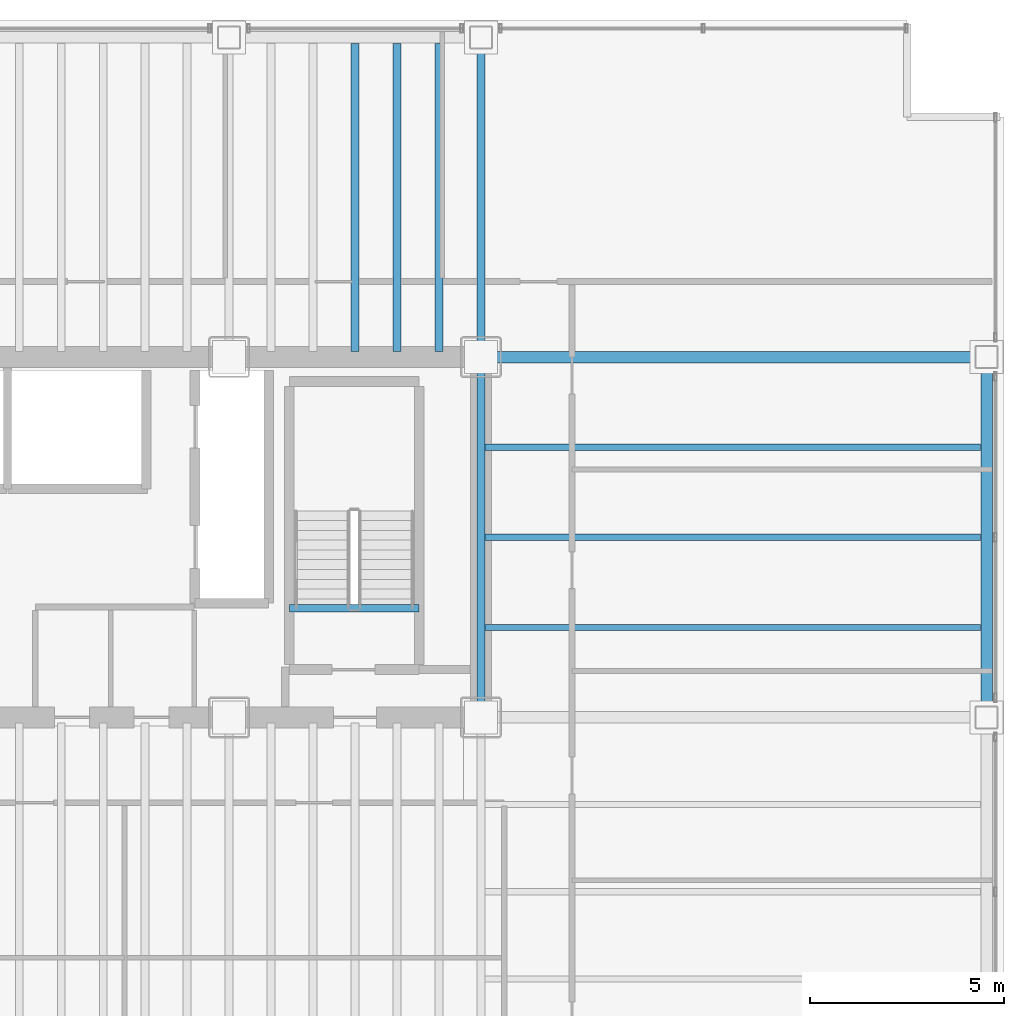
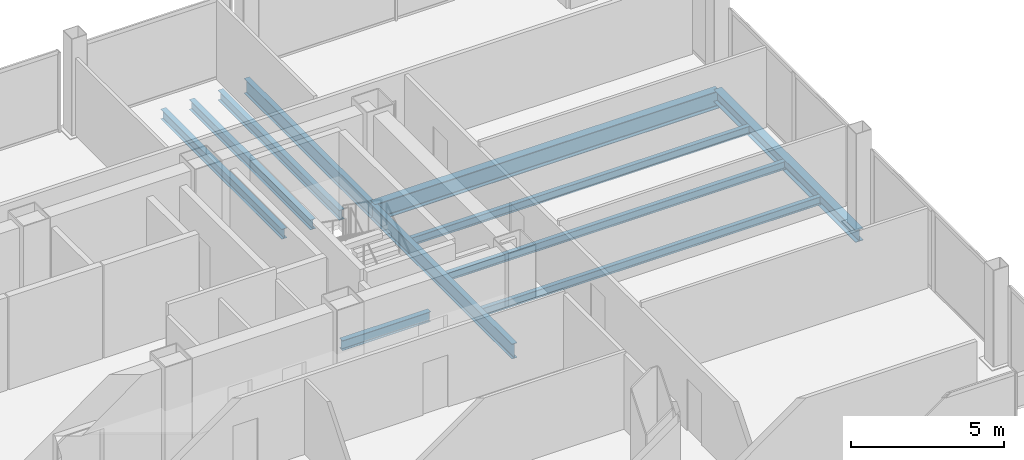
# One storey, part 11 of 20: 11 beams.
"""IFC4 building model written with IfcOpenShell, lengths in metres."""

from ifc_helpers import new_model, si_unit, direction, frame, origin, origin_2d, place, context, subcontext, project, spatial, i_section, extrude, material, material_profile, profile_set, type_object, element, save


model = new_model("IFC4")

# Units and contexts
model_context = context("Model", 3, precision=1e-05, world=origin(), true_north=direction((0.0, 1.0)))
body_context = subcontext(model_context, "Body", "Model", "MODEL_VIEW")
ifc_project = project(units=[si_unit("LENGTHUNIT", "METRE"), si_unit("AREAUNIT", "SQUARE_METRE"), si_unit("VOLUMEUNIT", "CUBIC_METRE"), si_unit("PLANEANGLEUNIT", "RADIAN"), si_unit("MASSUNIT", "GRAM", prefix="KILO")], contexts=[model_context])

# Site, building, storey
site_placement = place(None, origin())
site = spatial("IfcSite", under=ifc_project, at=site_placement, CompositionType="ELEMENT")
building_placement = place(site_placement, origin())
building = spatial("IfcBuilding", under=site, at=building_placement, Name="Noeulbin Bourse Tower", CompositionType="ELEMENT")
storey_placement = place(building_placement, frame((0.0, 0.0, 69.39990234375)))
storey = spatial("IfcBuildingStorey", under=building, at=storey_placement, Name="L17", CompositionType="ELEMENT", Elevation=69.39990234375)

# Beams
ifc_material = material(Name="Steel S355", Category="steel")
ifc_material_profile_1 = material_profile(ifc_material, i_section(OverallWidth=0.199951171875, OverallDepth=0.60009765625, WebThickness=0.010986328125, FlangeThickness=0.01708984375, FilletRadius=0.02197265625, at=origin_2d()), Name="H-600x200x11x17", Category="LoadBearing")
ifc_profile_set_1 = profile_set([ifc_material_profile_1], Name="Steel S355")
beam_type_1 = type_object("IfcBeamType", Name="BM-GRD-600", PredefinedType="USERDEFINED", material=ifc_profile_set_1)
beam_1_placement = place(storey_placement, frame((44.0, 29.0, -0.47998046875), z_axis=(0.0, 1.0, 0.0), x_axis=(-1.0, 0.0, 0.0)))
element("IfcBeam", 1, at=beam_1_placement, inside=storey, type_object=beam_type_1, Name="Tower Primary Girder NS L17-5.3", ObjectType="GIRDER", PredefinedType="USERDEFINED", context=body_context, shape_type="SweptSolid", body=[
    extrude(i_section(OverallWidth=0.199951171875, OverallDepth=0.60009765625, WebThickness=0.010986328125, FlangeThickness=0.01708984375, FilletRadius=0.02197265625, at=origin_2d()), origin(), (0.0, 0.0, 1.0), 9.300048828125),
])
beam_2_placement = place(storey_placement, frame((44.0, 38.300048828125, -0.47998046875), z_axis=(0.0, 1.0, 0.0), x_axis=(-1.0, 0.0, 0.0)))
element("IfcBeam", 2, at=beam_2_placement, inside=storey, type_object=beam_type_1, Name="Tower Primary Girder NS L17-5.4", ObjectType="GIRDER", PredefinedType="USERDEFINED", context=body_context, shape_type="SweptSolid", body=[
    extrude(i_section(OverallWidth=0.199951171875, OverallDepth=0.60009765625, WebThickness=0.010986328125, FlangeThickness=0.01708984375, FilletRadius=0.02197265625, at=origin_2d()), origin(), (0.0, 0.0, 1.0), 8.25),
])
ifc_material_profile_2 = material_profile(ifc_material, i_section(OverallWidth=0.300048828125, OverallDepth=0.699951171875, WebThickness=0.012939453125, FlangeThickness=0.02392578125, FilletRadius=0.02392578125, at=origin_2d()), Name="H-700x300x13x24", Category="LoadBearing")
ifc_profile_set_2 = profile_set([ifc_material_profile_2], Name="Steel S355")
beam_type_2 = type_object("IfcBeamType", Name="BM-GRD-700", PredefinedType="USERDEFINED", material=ifc_profile_set_2)
beam_3_placement = place(storey_placement, frame((44.0, 38.300048828125, -0.52978515625), z_axis=(1.0, 0.0, 0.0), x_axis=(0.0, 1.0, 0.0)))
element("IfcBeam", 3, at=beam_3_placement, inside=storey, type_object=beam_type_2, Name="Tower Primary Girder EW L17-3.6", ObjectType="GIRDER", PredefinedType="USERDEFINED", context=body_context, shape_type="SweptSolid", body=[
    extrude(i_section(OverallWidth=0.300048828125, OverallDepth=0.699951171875, WebThickness=0.012939453125, FlangeThickness=0.02392578125, FilletRadius=0.02392578125, at=origin_2d()), origin(), (0.0, 0.0, 1.0), 13.050048828125),
])
ifc_material_profile_3 = material_profile(ifc_material, i_section(OverallWidth=0.159912109375, OverallDepth=0.320068359375, WebThickness=0.006591796875, FlangeThickness=0.010009765625, FilletRadius=0.012939453125, at=origin_2d()), Name="H-320x160x6.5x10", Category="LoadBearing")
ifc_profile_set_3 = profile_set([ifc_material_profile_3], Name="Steel S355")
beam_type_3 = type_object("IfcBeamType", Name="BM-JST-320", PredefinedType="JOIST", material=ifc_profile_set_3)
for number, where, z_axis, x_axis, name in (
    (4, (44.10009765625, 31.324951171875, -0.33984375), (1.0, 0.0, 0.0), (0.0, 1.0, 0.0), "Wing Composite Joist L17-E79"),
    (5, (44.10009765625, 33.64990234375, -0.33984375), (1.0, 0.0, 0.0), (0.0, 1.0, 0.0), "Wing Composite Joist L17-E80"),
    (6, (44.10009765625, 35.97509765625, -0.33984375), (1.0, 0.0, 0.0), (0.0, 1.0, 0.0), "Wing Composite Joist L17-E81"),
):
    element("IfcBeam", number, at=place(storey_placement, frame(where, z_axis=z_axis, x_axis=x_axis)), inside=storey, type_object=beam_type_3, Name=name, PredefinedType="JOIST", context=body_context, shape_type="SweptSolid", body=[
        extrude(i_section(OverallWidth=0.159912109375, OverallDepth=0.320068359375, WebThickness=0.006591796875, FlangeThickness=0.010009765625, FilletRadius=0.012939453125, at=origin_2d()), origin(), (0.0, 0.0, 1.0), 12.7998046875),
    ])
ifc_material_profile_4 = material_profile(ifc_material, i_section(OverallWidth=0.199951171875, OverallDepth=0.39990234375, WebThickness=0.008056640625, FlangeThickness=0.012939453125, FilletRadius=0.01611328125, at=origin_2d()), Name="H-400x200x8x13", Category="LoadBearing")
ifc_profile_set_4 = profile_set([ifc_material_profile_4], Name="Steel S355")
beam_type_4 = type_object("IfcBeamType", Name="BM-SEC-400", PredefinedType="BEAM", material=ifc_profile_set_4)
for number, where, z_axis, x_axis, name in (
    (7, (40.75, 38.449951171875, -0.3798828125), (0.0, 1.0, 0.0), (-1.0, 0.0, 0.0), "Tower Composite Joist L17-63"),
    (8, (41.833251953125, 38.449951171875, -0.3798828125), (0.0, 1.0, 0.0), (-1.0, 0.0, 0.0), "Tower Composite Joist L17-66"),
    (9, (42.916748046875, 38.449951171875, -0.3798828125), (0.0, 1.0, 0.0), (-1.0, 0.0, 0.0), "Tower Composite Joist L17-69"),
):
    element("IfcBeam", number, at=place(storey_placement, frame(where, z_axis=z_axis, x_axis=x_axis)), inside=storey, type_object=beam_type_4, Name=name, PredefinedType="BEAM", context=body_context, shape_type="SweptSolid", body=[
        extrude(i_section(OverallWidth=0.199951171875, OverallDepth=0.39990234375, WebThickness=0.008056640625, FlangeThickness=0.012939453125, FilletRadius=0.01611328125, at=origin_2d()), origin(), (0.0, 0.0, 1.0), 7.949951171875),
    ])
beam_4_placement = place(storey_placement, frame((39.06005859375, 31.820068359375, -0.199951171875), z_axis=(1.0, 0.0, 0.0), x_axis=(0.0, 1.0, 0.0)))
element("IfcBeam", 10, at=beam_4_placement, inside=storey, type_object=beam_type_4, Name="Stair Threshold Trimmer Beam ST2-L17", PredefinedType="BEAM", context=body_context, shape_type="SweptSolid", body=[
    extrude(i_section(OverallWidth=0.199951171875, OverallDepth=0.39990234375, WebThickness=0.008056640625, FlangeThickness=0.012939453125, FilletRadius=0.01611328125, at=origin_2d()), origin(), (0.0, 0.0, 1.0), 3.33984375),
])
ifc_material_profile_5 = material_profile(ifc_material, i_section(OverallWidth=0.300048828125, OverallDepth=0.488037109375, WebThickness=0.010986328125, FlangeThickness=0.01806640625, FilletRadius=0.02197265625, at=origin_2d()), Name="H-488x300x11x18", Category="LoadBearing")
ifc_profile_set_5 = profile_set([ifc_material_profile_5], Name="Steel S355")
beam_type_5 = type_object("IfcBeamType", Name="BM-SPN-488", PredefinedType="SPANDREL", material=ifc_profile_set_5)
beam_5_placement = place(storey_placement, frame((57.050048828125, 29.0, -0.423828125), z_axis=(0.0, 1.0, 0.0), x_axis=(-1.0, 0.0, 0.0)))
element("IfcBeam", 11, at=beam_5_placement, inside=storey, type_object=beam_type_5, Name="East Spandrel L17-2", PredefinedType="SPANDREL", context=body_context, shape_type="SweptSolid", body=[
    extrude(i_section(OverallWidth=0.300048828125, OverallDepth=0.488037109375, WebThickness=0.010986328125, FlangeThickness=0.01806640625, FilletRadius=0.02197265625, at=origin_2d()), origin(), (0.0, 0.0, 1.0), 9.300048828125),
])

save(model, "model.ifc")
